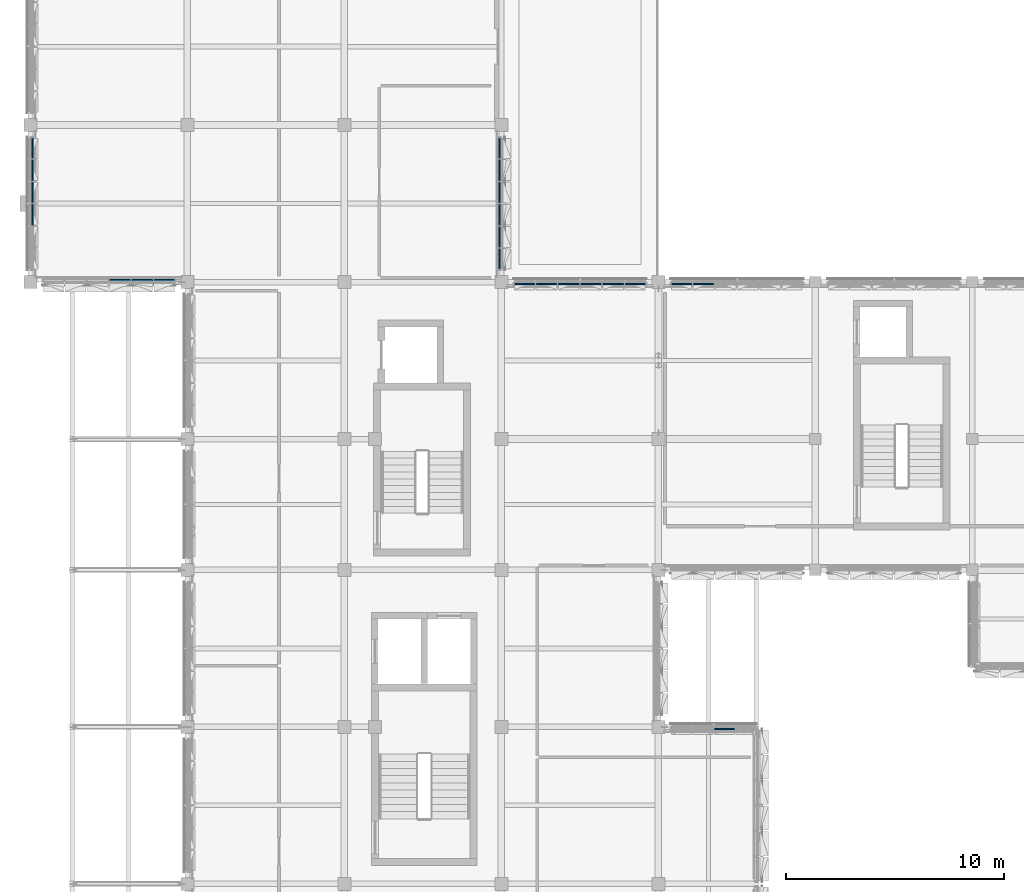
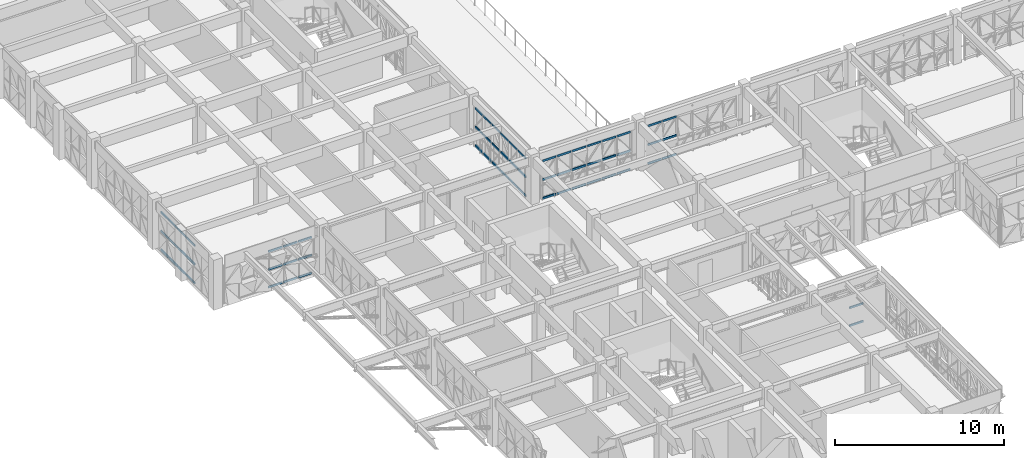
# One storey, part 23 of 99: 65 members, 6 elements without a shape of their own.
"""IFC4 building model written with IfcOpenShell, lengths in metres."""

from ifc_helpers import new_model, si_unit, direction, frame, origin, origin_2d, place, context, subcontext, project, spatial, rectangle, extrude, material, material_profile, profile_set, type_object, element, aggregate, save


model = new_model("IFC4")

# Units and contexts
model_context = context("Model", 3, precision=1e-05, world=origin(), true_north=direction((0.0, 1.0)))
body_context = subcontext(model_context, "Body", "Model", "MODEL_VIEW")
ifc_project = project(units=[si_unit("LENGTHUNIT", "METRE"), si_unit("AREAUNIT", "SQUARE_METRE"), si_unit("VOLUMEUNIT", "CUBIC_METRE"), si_unit("PLANEANGLEUNIT", "RADIAN"), si_unit("MASSUNIT", "GRAM", prefix="KILO")], contexts=[model_context])

# Site, building, storey
site_placement = place(None, origin())
site = spatial("IfcSite", under=ifc_project, at=site_placement, CompositionType="ELEMENT")
building_placement = place(site_placement, origin())
building = spatial("IfcBuilding", under=site, at=building_placement, Name="Alvorim Cloister Faculty of Sciences", CompositionType="ELEMENT")
storey_placement = place(building_placement, frame((0.0, 0.0, 12.14990234375)))
storey = spatial("IfcBuildingStorey", under=building, at=storey_placement, Name="L03", CompositionType="ELEMENT", Elevation=12.14990234375)

# Curtain wall, members
ifc_material_1 = material(Name="Aluminium and Low-E Glass Curtain Wall", Category="aluminium")
curtain_wall_type_1 = type_object("IfcCurtainWallType", Name="CW-TRI-6120x2706", PredefinedType="USERDEFINED", material=ifc_material_1)
curtain_wall_1_placement = place(storey_placement, origin())
curtain_wall_1 = element("IfcCurtainWall", 1, at=curtain_wall_1_placement, inside=storey, type_object=curtain_wall_type_1, Name="L03 Diagonal Cassette Curtain Wall CW-0105", ObjectType="UNITISED CURTAIN WALL", PredefinedType="USERDEFINED")
ifc_material_2 = material(Name="Aluminium Alloy 6063-T6", Category="aluminium")
ifc_material_profile = material_profile(ifc_material_2, rectangle(XDim=0.06494140625, YDim=0.139892578125, at=origin_2d()), Name="ALU-TRN-65x140")
ifc_profile_set = profile_set([ifc_material_profile], Name="Aluminium Alloy 6063-T6")
member_type = type_object("IfcMemberType", Name="CW-TRN-65x140", PredefinedType="USERDEFINED", material=ifc_profile_set)
member_1_placement = place(storey_placement, frame((3.632568359375, 56.489990234375, 0.070068359375), z_axis=(1.0, 0.0, 0.0), x_axis=(0.0, 1.0, 0.0)))
member_1 = element("IfcMember", 2, at=member_1_placement, type_object=member_type, Name="CW-0105 Transom 4.1", ObjectType="TRANSOM", PredefinedType="USERDEFINED", context=body_context, shape_type="SweptSolid", body=[
    extrude(rectangle(XDim=0.06494140625, YDim=0.139892578125, at=origin_2d()), origin(), (0.0, 0.0, 1.0), 0.954833984375),
])
member_2_placement = place(storey_placement, frame((3.632568359375, 56.489990234375, 1.35302734375), z_axis=(1.0, 0.0, 0.0), x_axis=(0.0, 1.0, 0.0)))
member_2 = element("IfcMember", 3, at=member_2_placement, type_object=member_type, Name="CW-0105 Transom 4.2", ObjectType="TRANSOM", PredefinedType="USERDEFINED", context=body_context, shape_type="SweptSolid", body=[
    extrude(rectangle(XDim=0.06494140625, YDim=0.139892578125, at=origin_2d()), origin(), (0.0, 0.0, 1.0), 0.954833984375),
])
member_3_placement = place(storey_placement, frame((3.632568359375, 56.489990234375, 2.635986328125), z_axis=(1.0, 0.0, 0.0), x_axis=(0.0, 1.0, 0.0)))
member_3 = element("IfcMember", 4, at=member_3_placement, type_object=member_type, Name="CW-0105 Transom 4.3", ObjectType="TRANSOM", PredefinedType="USERDEFINED", context=body_context, shape_type="SweptSolid", body=[
    extrude(rectangle(XDim=0.06494140625, YDim=0.139892578125, at=origin_2d()), origin(), (0.0, 0.0, 1.0), 0.954833984375),
])
member_4_placement = place(storey_placement, frame((4.652587890625, 56.489990234375, 0.070068359375), z_axis=(1.0, 0.0, 0.0), x_axis=(0.0, 1.0, 0.0)))
member_4 = element("IfcMember", 5, at=member_4_placement, type_object=member_type, Name="CW-0105 Transom 5.1", ObjectType="TRANSOM", PredefinedType="USERDEFINED", context=body_context, shape_type="SweptSolid", body=[
    extrude(rectangle(XDim=0.06494140625, YDim=0.139892578125, at=origin_2d()), origin(), (0.0, 0.0, 1.0), 0.954833984375),
])
member_5_placement = place(storey_placement, frame((4.652587890625, 56.489990234375, 1.35302734375), z_axis=(1.0, 0.0, 0.0), x_axis=(0.0, 1.0, 0.0)))
member_5 = element("IfcMember", 6, at=member_5_placement, type_object=member_type, Name="CW-0105 Transom 5.2", ObjectType="TRANSOM", PredefinedType="USERDEFINED", context=body_context, shape_type="SweptSolid", body=[
    extrude(rectangle(XDim=0.06494140625, YDim=0.139892578125, at=origin_2d()), origin(), (0.0, 0.0, 1.0), 0.954833984375),
])
member_6_placement = place(storey_placement, frame((4.652587890625, 56.489990234375, 2.635986328125), z_axis=(1.0, 0.0, 0.0), x_axis=(0.0, 1.0, 0.0)))
member_6 = element("IfcMember", 7, at=member_6_placement, type_object=member_type, Name="CW-0105 Transom 5.3", ObjectType="TRANSOM", PredefinedType="USERDEFINED", context=body_context, shape_type="SweptSolid", body=[
    extrude(rectangle(XDim=0.06494140625, YDim=0.139892578125, at=origin_2d()), origin(), (0.0, 0.0, 1.0), 0.954833984375),
])
member_7_placement = place(storey_placement, frame((5.672607421875, 56.489990234375, 0.070068359375), z_axis=(1.0, 0.0, 0.0), x_axis=(0.0, 1.0, 0.0)))
member_7 = element("IfcMember", 8, at=member_7_placement, type_object=member_type, Name="CW-0105 Transom 6.1", ObjectType="TRANSOM", PredefinedType="USERDEFINED", context=body_context, shape_type="SweptSolid", body=[
    extrude(rectangle(XDim=0.06494140625, YDim=0.139892578125, at=origin_2d()), origin(), (0.0, 0.0, 1.0), 0.92236328125),
])
member_8_placement = place(storey_placement, frame((5.672607421875, 56.489990234375, 1.35302734375), z_axis=(1.0, 0.0, 0.0), x_axis=(0.0, 1.0, 0.0)))
member_8 = element("IfcMember", 9, at=member_8_placement, type_object=member_type, Name="CW-0105 Transom 6.2", ObjectType="TRANSOM", PredefinedType="USERDEFINED", context=body_context, shape_type="SweptSolid", body=[
    extrude(rectangle(XDim=0.06494140625, YDim=0.139892578125, at=origin_2d()), origin(), (0.0, 0.0, 1.0), 0.92236328125),
])
member_9_placement = place(storey_placement, frame((5.672607421875, 56.489990234375, 2.635986328125), z_axis=(1.0, 0.0, 0.0), x_axis=(0.0, 1.0, 0.0)))
member_9 = element("IfcMember", 10, at=member_9_placement, type_object=member_type, Name="CW-0105 Transom 6.3", ObjectType="TRANSOM", PredefinedType="USERDEFINED", context=body_context, shape_type="SweptSolid", body=[
    extrude(rectangle(XDim=0.06494140625, YDim=0.139892578125, at=origin_2d()), origin(), (0.0, 0.0, 1.0), 0.92236328125),
])
aggregate(curtain_wall_1, [member_1, member_2, member_3, member_4, member_5, member_6, member_7, member_8, member_9])

curtain_wall_type_2 = type_object("IfcCurtainWallType", Name="CW-TRI-6120x2850", PredefinedType="USERDEFINED", material=ifc_material_1)
curtain_wall_2_placement = place(storey_placement, origin())
curtain_wall_2 = element("IfcCurtainWall", 11, at=curtain_wall_2_placement, inside=storey, type_object=curtain_wall_type_2, Name="L03 Diagonal Cassette Curtain Wall CW-0106", ObjectType="UNITISED CURTAIN WALL", PredefinedType="USERDEFINED")
member_10_placement = place(storey_placement, frame((0.090087890625, 59.012451171875, 0.070068359375), z_axis=(0.0, 1.0, 0.0), x_axis=(-1.0, 0.0, 0.0)))
member_10 = element("IfcMember", 12, at=member_10_placement, type_object=member_type, Name="CW-0106 Transom 3.1", ObjectType="TRANSOM", PredefinedType="USERDEFINED", context=body_context, shape_type="SweptSolid", body=[
    extrude(rectangle(XDim=0.06494140625, YDim=0.139892578125, at=origin_2d()), origin(), (0.0, 0.0, 1.0), 0.955078125),
])
member_11_placement = place(storey_placement, frame((0.090087890625, 59.012451171875, 1.425048828125), z_axis=(0.0, 1.0, 0.0), x_axis=(-1.0, 0.0, 0.0)))
member_11 = element("IfcMember", 13, at=member_11_placement, type_object=member_type, Name="CW-0106 Transom 3.2", ObjectType="TRANSOM", PredefinedType="USERDEFINED", context=body_context, shape_type="SweptSolid", body=[
    extrude(rectangle(XDim=0.06494140625, YDim=0.139892578125, at=origin_2d()), origin(), (0.0, 0.0, 1.0), 0.955078125),
])
member_12_placement = place(storey_placement, frame((0.090087890625, 59.012451171875, 2.780029296875), z_axis=(0.0, 1.0, 0.0), x_axis=(-1.0, 0.0, 0.0)))
member_12 = element("IfcMember", 14, at=member_12_placement, type_object=member_type, Name="CW-0106 Transom 3.3", ObjectType="TRANSOM", PredefinedType="USERDEFINED", context=body_context, shape_type="SweptSolid", body=[
    extrude(rectangle(XDim=0.06494140625, YDim=0.139892578125, at=origin_2d()), origin(), (0.0, 0.0, 1.0), 0.955078125),
])
member_13_placement = place(storey_placement, frame((0.090087890625, 60.032470703125, 0.070068359375), z_axis=(0.0, 1.0, 0.0), x_axis=(-1.0, 0.0, 0.0)))
member_13 = element("IfcMember", 15, at=member_13_placement, type_object=member_type, Name="CW-0106 Transom 4.1", ObjectType="TRANSOM", PredefinedType="USERDEFINED", context=body_context, shape_type="SweptSolid", body=[
    extrude(rectangle(XDim=0.06494140625, YDim=0.139892578125, at=origin_2d()), origin(), (0.0, 0.0, 1.0), 0.955078125),
])
member_14_placement = place(storey_placement, frame((0.090087890625, 60.032470703125, 1.425048828125), z_axis=(0.0, 1.0, 0.0), x_axis=(-1.0, 0.0, 0.0)))
member_14 = element("IfcMember", 16, at=member_14_placement, type_object=member_type, Name="CW-0106 Transom 4.2", ObjectType="TRANSOM", PredefinedType="USERDEFINED", context=body_context, shape_type="SweptSolid", body=[
    extrude(rectangle(XDim=0.06494140625, YDim=0.139892578125, at=origin_2d()), origin(), (0.0, 0.0, 1.0), 0.955078125),
])
member_15_placement = place(storey_placement, frame((0.090087890625, 60.032470703125, 2.780029296875), z_axis=(0.0, 1.0, 0.0), x_axis=(-1.0, 0.0, 0.0)))
member_15 = element("IfcMember", 17, at=member_15_placement, type_object=member_type, Name="CW-0106 Transom 4.3", ObjectType="TRANSOM", PredefinedType="USERDEFINED", context=body_context, shape_type="SweptSolid", body=[
    extrude(rectangle(XDim=0.06494140625, YDim=0.139892578125, at=origin_2d()), origin(), (0.0, 0.0, 1.0), 0.955078125),
])
member_16_placement = place(storey_placement, frame((0.090087890625, 61.052490234375, 0.070068359375), z_axis=(0.0, 1.0, 0.0), x_axis=(-1.0, 0.0, 0.0)))
member_16 = element("IfcMember", 18, at=member_16_placement, type_object=member_type, Name="CW-0106 Transom 5.1", ObjectType="TRANSOM", PredefinedType="USERDEFINED", context=body_context, shape_type="SweptSolid", body=[
    extrude(rectangle(XDim=0.06494140625, YDim=0.139892578125, at=origin_2d()), origin(), (0.0, 0.0, 1.0), 0.955078125),
])
member_17_placement = place(storey_placement, frame((0.090087890625, 61.052490234375, 1.425048828125), z_axis=(0.0, 1.0, 0.0), x_axis=(-1.0, 0.0, 0.0)))
member_17 = element("IfcMember", 19, at=member_17_placement, type_object=member_type, Name="CW-0106 Transom 5.2", ObjectType="TRANSOM", PredefinedType="USERDEFINED", context=body_context, shape_type="SweptSolid", body=[
    extrude(rectangle(XDim=0.06494140625, YDim=0.139892578125, at=origin_2d()), origin(), (0.0, 0.0, 1.0), 0.955078125),
])
member_18_placement = place(storey_placement, frame((0.090087890625, 61.052490234375, 2.780029296875), z_axis=(0.0, 1.0, 0.0), x_axis=(-1.0, 0.0, 0.0)))
member_18 = element("IfcMember", 20, at=member_18_placement, type_object=member_type, Name="CW-0106 Transom 5.3", ObjectType="TRANSOM", PredefinedType="USERDEFINED", context=body_context, shape_type="SweptSolid", body=[
    extrude(rectangle(XDim=0.06494140625, YDim=0.139892578125, at=origin_2d()), origin(), (0.0, 0.0, 1.0), 0.955078125),
])
member_19_placement = place(storey_placement, frame((0.090087890625, 62.072509765625, 0.070068359375), z_axis=(0.0, 1.0, 0.0), x_axis=(-1.0, 0.0, 0.0)))
member_19 = element("IfcMember", 21, at=member_19_placement, type_object=member_type, Name="CW-0106 Transom 6.1", ObjectType="TRANSOM", PredefinedType="USERDEFINED", context=body_context, shape_type="SweptSolid", body=[
    extrude(rectangle(XDim=0.06494140625, YDim=0.139892578125, at=origin_2d()), origin(), (0.0, 0.0, 1.0), 0.922607421875),
])
member_20_placement = place(storey_placement, frame((0.090087890625, 62.072509765625, 1.425048828125), z_axis=(0.0, 1.0, 0.0), x_axis=(-1.0, 0.0, 0.0)))
member_20 = element("IfcMember", 22, at=member_20_placement, type_object=member_type, Name="CW-0106 Transom 6.2", ObjectType="TRANSOM", PredefinedType="USERDEFINED", context=body_context, shape_type="SweptSolid", body=[
    extrude(rectangle(XDim=0.06494140625, YDim=0.139892578125, at=origin_2d()), origin(), (0.0, 0.0, 1.0), 0.922607421875),
])
member_21_placement = place(storey_placement, frame((0.090087890625, 62.072509765625, 2.780029296875), z_axis=(0.0, 1.0, 0.0), x_axis=(-1.0, 0.0, 0.0)))
member_21 = element("IfcMember", 23, at=member_21_placement, type_object=member_type, Name="CW-0106 Transom 6.3", ObjectType="TRANSOM", PredefinedType="USERDEFINED", context=body_context, shape_type="SweptSolid", body=[
    extrude(rectangle(XDim=0.06494140625, YDim=0.139892578125, at=origin_2d()), origin(), (0.0, 0.0, 1.0), 0.922607421875),
])
aggregate(curtain_wall_2, [member_10, member_11, member_12, member_13, member_14, member_15, member_16, member_17, member_18, member_19, member_20, member_21])

curtain_wall_3_placement = place(storey_placement, origin())
curtain_wall_3 = element("IfcCurtainWall", 24, at=curtain_wall_3_placement, inside=storey, type_object=curtain_wall_type_2, Name="L03 Diagonal Cassette Curtain Wall CW-0123", ObjectType="UNITISED CURTAIN WALL", PredefinedType="USERDEFINED")
member_22_placement = place(storey_placement, frame((21.510009765625, 57.0048828125, 0.070068359375), z_axis=(0.0, 1.0, 0.0), x_axis=(-1.0, 0.0, 0.0)))
member_22 = element("IfcMember", 25, at=member_22_placement, type_object=member_type, Name="CW-0123 Transom 1.1", ObjectType="TRANSOM", PredefinedType="USERDEFINED", context=body_context, shape_type="SweptSolid", body=[
    extrude(rectangle(XDim=0.06494140625, YDim=0.139892578125, at=origin_2d()), origin(), (0.0, 0.0, 1.0), 0.922607421875),
])
member_23_placement = place(storey_placement, frame((21.510009765625, 57.0048828125, 1.425048828125), z_axis=(0.0, 1.0, 0.0), x_axis=(-1.0, 0.0, 0.0)))
member_23 = element("IfcMember", 26, at=member_23_placement, type_object=member_type, Name="CW-0123 Transom 1.2", ObjectType="TRANSOM", PredefinedType="USERDEFINED", context=body_context, shape_type="SweptSolid", body=[
    extrude(rectangle(XDim=0.06494140625, YDim=0.139892578125, at=origin_2d()), origin(), (0.0, 0.0, 1.0), 0.922607421875),
])
member_24_placement = place(storey_placement, frame((21.510009765625, 57.0048828125, 2.780029296875), z_axis=(0.0, 1.0, 0.0), x_axis=(-1.0, 0.0, 0.0)))
member_24 = element("IfcMember", 27, at=member_24_placement, type_object=member_type, Name="CW-0123 Transom 1.3", ObjectType="TRANSOM", PredefinedType="USERDEFINED", context=body_context, shape_type="SweptSolid", body=[
    extrude(rectangle(XDim=0.06494140625, YDim=0.139892578125, at=origin_2d()), origin(), (0.0, 0.0, 1.0), 0.922607421875),
])
member_25_placement = place(storey_placement, frame((21.510009765625, 57.992431640625, 0.070068359375), z_axis=(0.0, 1.0, 0.0), x_axis=(-1.0, 0.0, 0.0)))
member_25 = element("IfcMember", 28, at=member_25_placement, type_object=member_type, Name="CW-0123 Transom 2.1", ObjectType="TRANSOM", PredefinedType="USERDEFINED", context=body_context, shape_type="SweptSolid", body=[
    extrude(rectangle(XDim=0.06494140625, YDim=0.139892578125, at=origin_2d()), origin(), (0.0, 0.0, 1.0), 0.955078125),
])
member_26_placement = place(storey_placement, frame((21.510009765625, 57.992431640625, 1.425048828125), z_axis=(0.0, 1.0, 0.0), x_axis=(-1.0, 0.0, 0.0)))
member_26 = element("IfcMember", 29, at=member_26_placement, type_object=member_type, Name="CW-0123 Transom 2.2", ObjectType="TRANSOM", PredefinedType="USERDEFINED", context=body_context, shape_type="SweptSolid", body=[
    extrude(rectangle(XDim=0.06494140625, YDim=0.139892578125, at=origin_2d()), origin(), (0.0, 0.0, 1.0), 0.955078125),
])
member_27_placement = place(storey_placement, frame((21.510009765625, 57.992431640625, 2.780029296875), z_axis=(0.0, 1.0, 0.0), x_axis=(-1.0, 0.0, 0.0)))
member_27 = element("IfcMember", 30, at=member_27_placement, type_object=member_type, Name="CW-0123 Transom 2.3", ObjectType="TRANSOM", PredefinedType="USERDEFINED", context=body_context, shape_type="SweptSolid", body=[
    extrude(rectangle(XDim=0.06494140625, YDim=0.139892578125, at=origin_2d()), origin(), (0.0, 0.0, 1.0), 0.955078125),
])
member_28_placement = place(storey_placement, frame((21.510009765625, 59.012451171875, 0.070068359375), z_axis=(0.0, 1.0, 0.0), x_axis=(-1.0, 0.0, 0.0)))
member_28 = element("IfcMember", 31, at=member_28_placement, type_object=member_type, Name="CW-0123 Transom 3.1", ObjectType="TRANSOM", PredefinedType="USERDEFINED", context=body_context, shape_type="SweptSolid", body=[
    extrude(rectangle(XDim=0.06494140625, YDim=0.139892578125, at=origin_2d()), origin(), (0.0, 0.0, 1.0), 0.955078125),
])
member_29_placement = place(storey_placement, frame((21.510009765625, 59.012451171875, 1.425048828125), z_axis=(0.0, 1.0, 0.0), x_axis=(-1.0, 0.0, 0.0)))
member_29 = element("IfcMember", 32, at=member_29_placement, type_object=member_type, Name="CW-0123 Transom 3.2", ObjectType="TRANSOM", PredefinedType="USERDEFINED", context=body_context, shape_type="SweptSolid", body=[
    extrude(rectangle(XDim=0.06494140625, YDim=0.139892578125, at=origin_2d()), origin(), (0.0, 0.0, 1.0), 0.955078125),
])
member_30_placement = place(storey_placement, frame((21.510009765625, 59.012451171875, 2.780029296875), z_axis=(0.0, 1.0, 0.0), x_axis=(-1.0, 0.0, 0.0)))
member_30 = element("IfcMember", 33, at=member_30_placement, type_object=member_type, Name="CW-0123 Transom 3.3", ObjectType="TRANSOM", PredefinedType="USERDEFINED", context=body_context, shape_type="SweptSolid", body=[
    extrude(rectangle(XDim=0.06494140625, YDim=0.139892578125, at=origin_2d()), origin(), (0.0, 0.0, 1.0), 0.955078125),
])
member_31_placement = place(storey_placement, frame((21.510009765625, 60.032470703125, 0.070068359375), z_axis=(0.0, 1.0, 0.0), x_axis=(-1.0, 0.0, 0.0)))
member_31 = element("IfcMember", 34, at=member_31_placement, type_object=member_type, Name="CW-0123 Transom 4.1", ObjectType="TRANSOM", PredefinedType="USERDEFINED", context=body_context, shape_type="SweptSolid", body=[
    extrude(rectangle(XDim=0.06494140625, YDim=0.139892578125, at=origin_2d()), origin(), (0.0, 0.0, 1.0), 0.955078125),
])
member_32_placement = place(storey_placement, frame((21.510009765625, 60.032470703125, 1.425048828125), z_axis=(0.0, 1.0, 0.0), x_axis=(-1.0, 0.0, 0.0)))
member_32 = element("IfcMember", 35, at=member_32_placement, type_object=member_type, Name="CW-0123 Transom 4.2", ObjectType="TRANSOM", PredefinedType="USERDEFINED", context=body_context, shape_type="SweptSolid", body=[
    extrude(rectangle(XDim=0.06494140625, YDim=0.139892578125, at=origin_2d()), origin(), (0.0, 0.0, 1.0), 0.955078125),
])
member_33_placement = place(storey_placement, frame((21.510009765625, 60.032470703125, 2.780029296875), z_axis=(0.0, 1.0, 0.0), x_axis=(-1.0, 0.0, 0.0)))
member_33 = element("IfcMember", 36, at=member_33_placement, type_object=member_type, Name="CW-0123 Transom 4.3", ObjectType="TRANSOM", PredefinedType="USERDEFINED", context=body_context, shape_type="SweptSolid", body=[
    extrude(rectangle(XDim=0.06494140625, YDim=0.139892578125, at=origin_2d()), origin(), (0.0, 0.0, 1.0), 0.955078125),
])
member_34_placement = place(storey_placement, frame((21.510009765625, 61.052490234375, 0.070068359375), z_axis=(0.0, 1.0, 0.0), x_axis=(-1.0, 0.0, 0.0)))
member_34 = element("IfcMember", 37, at=member_34_placement, type_object=member_type, Name="CW-0123 Transom 5.1", ObjectType="TRANSOM", PredefinedType="USERDEFINED", context=body_context, shape_type="SweptSolid", body=[
    extrude(rectangle(XDim=0.06494140625, YDim=0.139892578125, at=origin_2d()), origin(), (0.0, 0.0, 1.0), 0.955078125),
])
member_35_placement = place(storey_placement, frame((21.510009765625, 61.052490234375, 1.425048828125), z_axis=(0.0, 1.0, 0.0), x_axis=(-1.0, 0.0, 0.0)))
member_35 = element("IfcMember", 38, at=member_35_placement, type_object=member_type, Name="CW-0123 Transom 5.2", ObjectType="TRANSOM", PredefinedType="USERDEFINED", context=body_context, shape_type="SweptSolid", body=[
    extrude(rectangle(XDim=0.06494140625, YDim=0.139892578125, at=origin_2d()), origin(), (0.0, 0.0, 1.0), 0.955078125),
])
member_36_placement = place(storey_placement, frame((21.510009765625, 61.052490234375, 2.780029296875), z_axis=(0.0, 1.0, 0.0), x_axis=(-1.0, 0.0, 0.0)))
member_36 = element("IfcMember", 39, at=member_36_placement, type_object=member_type, Name="CW-0123 Transom 5.3", ObjectType="TRANSOM", PredefinedType="USERDEFINED", context=body_context, shape_type="SweptSolid", body=[
    extrude(rectangle(XDim=0.06494140625, YDim=0.139892578125, at=origin_2d()), origin(), (0.0, 0.0, 1.0), 0.955078125),
])
member_37_placement = place(storey_placement, frame((21.510009765625, 62.072509765625, 0.070068359375), z_axis=(0.0, 1.0, 0.0), x_axis=(-1.0, 0.0, 0.0)))
member_37 = element("IfcMember", 40, at=member_37_placement, type_object=member_type, Name="CW-0123 Transom 6.1", ObjectType="TRANSOM", PredefinedType="USERDEFINED", context=body_context, shape_type="SweptSolid", body=[
    extrude(rectangle(XDim=0.06494140625, YDim=0.139892578125, at=origin_2d()), origin(), (0.0, 0.0, 1.0), 0.922607421875),
])
member_38_placement = place(storey_placement, frame((21.510009765625, 62.072509765625, 1.425048828125), z_axis=(0.0, 1.0, 0.0), x_axis=(-1.0, 0.0, 0.0)))
member_38 = element("IfcMember", 41, at=member_38_placement, type_object=member_type, Name="CW-0123 Transom 6.2", ObjectType="TRANSOM", PredefinedType="USERDEFINED", context=body_context, shape_type="SweptSolid", body=[
    extrude(rectangle(XDim=0.06494140625, YDim=0.139892578125, at=origin_2d()), origin(), (0.0, 0.0, 1.0), 0.922607421875),
])
member_39_placement = place(storey_placement, frame((21.510009765625, 62.072509765625, 2.780029296875), z_axis=(0.0, 1.0, 0.0), x_axis=(-1.0, 0.0, 0.0)))
member_39 = element("IfcMember", 42, at=member_39_placement, type_object=member_type, Name="CW-0123 Transom 6.3", ObjectType="TRANSOM", PredefinedType="USERDEFINED", context=body_context, shape_type="SweptSolid", body=[
    extrude(rectangle(XDim=0.06494140625, YDim=0.139892578125, at=origin_2d()), origin(), (0.0, 0.0, 1.0), 0.922607421875),
])
aggregate(curtain_wall_3, [member_22, member_23, member_24, member_25, member_26, member_27, member_28, member_29, member_30, member_31, member_32, member_33, member_34, member_35, member_36, member_37, member_38, member_39])

curtain_wall_4_placement = place(storey_placement, origin())
curtain_wall_4 = element("IfcCurtainWall", 43, at=curtain_wall_4_placement, inside=storey, type_object=curtain_wall_type_2, Name="L03 Diagonal Cassette Curtain Wall CW-0124", ObjectType="UNITISED CURTAIN WALL", PredefinedType="USERDEFINED")
member_40_placement = place(storey_placement, frame((22.205078125, 56.31005859375, 0.070068359375), z_axis=(1.0, 0.0, 0.0), x_axis=(0.0, 1.0, 0.0)))
member_40 = element("IfcMember", 44, at=member_40_placement, type_object=member_type, Name="CW-0124 Transom 1.1", ObjectType="TRANSOM", PredefinedType="USERDEFINED", context=body_context, shape_type="SweptSolid", body=[
    extrude(rectangle(XDim=0.06494140625, YDim=0.139892578125, at=origin_2d()), origin(), (0.0, 0.0, 1.0), 0.92236328125),
])
member_41_placement = place(storey_placement, frame((22.205078125, 56.31005859375, 1.425048828125), z_axis=(1.0, 0.0, 0.0), x_axis=(0.0, 1.0, 0.0)))
member_41 = element("IfcMember", 45, at=member_41_placement, type_object=member_type, Name="CW-0124 Transom 1.2", ObjectType="TRANSOM", PredefinedType="USERDEFINED", context=body_context, shape_type="SweptSolid", body=[
    extrude(rectangle(XDim=0.06494140625, YDim=0.139892578125, at=origin_2d()), origin(), (0.0, 0.0, 1.0), 0.92236328125),
])
member_42_placement = place(storey_placement, frame((22.205078125, 56.31005859375, 2.780029296875), z_axis=(1.0, 0.0, 0.0), x_axis=(0.0, 1.0, 0.0)))
member_42 = element("IfcMember", 46, at=member_42_placement, type_object=member_type, Name="CW-0124 Transom 1.3", ObjectType="TRANSOM", PredefinedType="USERDEFINED", context=body_context, shape_type="SweptSolid", body=[
    extrude(rectangle(XDim=0.06494140625, YDim=0.139892578125, at=origin_2d()), origin(), (0.0, 0.0, 1.0), 0.92236328125),
])
member_43_placement = place(storey_placement, frame((23.1923828125, 56.31005859375, 0.070068359375), z_axis=(1.0, 0.0, 0.0), x_axis=(0.0, 1.0, 0.0)))
member_43 = element("IfcMember", 47, at=member_43_placement, type_object=member_type, Name="CW-0124 Transom 2.1", ObjectType="TRANSOM", PredefinedType="USERDEFINED", context=body_context, shape_type="SweptSolid", body=[
    extrude(rectangle(XDim=0.06494140625, YDim=0.139892578125, at=origin_2d()), origin(), (0.0, 0.0, 1.0), 0.955078125),
])
member_44_placement = place(storey_placement, frame((23.1923828125, 56.31005859375, 1.425048828125), z_axis=(1.0, 0.0, 0.0), x_axis=(0.0, 1.0, 0.0)))
member_44 = element("IfcMember", 48, at=member_44_placement, type_object=member_type, Name="CW-0124 Transom 2.2", ObjectType="TRANSOM", PredefinedType="USERDEFINED", context=body_context, shape_type="SweptSolid", body=[
    extrude(rectangle(XDim=0.06494140625, YDim=0.139892578125, at=origin_2d()), origin(), (0.0, 0.0, 1.0), 0.955078125),
])
member_45_placement = place(storey_placement, frame((23.1923828125, 56.31005859375, 2.780029296875), z_axis=(1.0, 0.0, 0.0), x_axis=(0.0, 1.0, 0.0)))
member_45 = element("IfcMember", 49, at=member_45_placement, type_object=member_type, Name="CW-0124 Transom 2.3", ObjectType="TRANSOM", PredefinedType="USERDEFINED", context=body_context, shape_type="SweptSolid", body=[
    extrude(rectangle(XDim=0.06494140625, YDim=0.139892578125, at=origin_2d()), origin(), (0.0, 0.0, 1.0), 0.955078125),
])
member_46_placement = place(storey_placement, frame((24.21240234375, 56.31005859375, 0.070068359375), z_axis=(1.0, 0.0, 0.0), x_axis=(0.0, 1.0, 0.0)))
member_46 = element("IfcMember", 50, at=member_46_placement, type_object=member_type, Name="CW-0124 Transom 3.1", ObjectType="TRANSOM", PredefinedType="USERDEFINED", context=body_context, shape_type="SweptSolid", body=[
    extrude(rectangle(XDim=0.06494140625, YDim=0.139892578125, at=origin_2d()), origin(), (0.0, 0.0, 1.0), 0.955078125),
])
member_47_placement = place(storey_placement, frame((24.21240234375, 56.31005859375, 1.425048828125), z_axis=(1.0, 0.0, 0.0), x_axis=(0.0, 1.0, 0.0)))
member_47 = element("IfcMember", 51, at=member_47_placement, type_object=member_type, Name="CW-0124 Transom 3.2", ObjectType="TRANSOM", PredefinedType="USERDEFINED", context=body_context, shape_type="SweptSolid", body=[
    extrude(rectangle(XDim=0.06494140625, YDim=0.139892578125, at=origin_2d()), origin(), (0.0, 0.0, 1.0), 0.955078125),
])
member_48_placement = place(storey_placement, frame((24.21240234375, 56.31005859375, 2.780029296875), z_axis=(1.0, 0.0, 0.0), x_axis=(0.0, 1.0, 0.0)))
member_48 = element("IfcMember", 52, at=member_48_placement, type_object=member_type, Name="CW-0124 Transom 3.3", ObjectType="TRANSOM", PredefinedType="USERDEFINED", context=body_context, shape_type="SweptSolid", body=[
    extrude(rectangle(XDim=0.06494140625, YDim=0.139892578125, at=origin_2d()), origin(), (0.0, 0.0, 1.0), 0.955078125),
])
member_49_placement = place(storey_placement, frame((25.232421875, 56.31005859375, 0.070068359375), z_axis=(1.0, 0.0, 0.0), x_axis=(0.0, 1.0, 0.0)))
member_49 = element("IfcMember", 53, at=member_49_placement, type_object=member_type, Name="CW-0124 Transom 4.1", ObjectType="TRANSOM", PredefinedType="USERDEFINED", context=body_context, shape_type="SweptSolid", body=[
    extrude(rectangle(XDim=0.06494140625, YDim=0.139892578125, at=origin_2d()), origin(), (0.0, 0.0, 1.0), 0.955078125),
])
member_50_placement = place(storey_placement, frame((25.232421875, 56.31005859375, 1.425048828125), z_axis=(1.0, 0.0, 0.0), x_axis=(0.0, 1.0, 0.0)))
member_50 = element("IfcMember", 54, at=member_50_placement, type_object=member_type, Name="CW-0124 Transom 4.2", ObjectType="TRANSOM", PredefinedType="USERDEFINED", context=body_context, shape_type="SweptSolid", body=[
    extrude(rectangle(XDim=0.06494140625, YDim=0.139892578125, at=origin_2d()), origin(), (0.0, 0.0, 1.0), 0.955078125),
])
member_51_placement = place(storey_placement, frame((25.232421875, 56.31005859375, 2.780029296875), z_axis=(1.0, 0.0, 0.0), x_axis=(0.0, 1.0, 0.0)))
member_51 = element("IfcMember", 55, at=member_51_placement, type_object=member_type, Name="CW-0124 Transom 4.3", ObjectType="TRANSOM", PredefinedType="USERDEFINED", context=body_context, shape_type="SweptSolid", body=[
    extrude(rectangle(XDim=0.06494140625, YDim=0.139892578125, at=origin_2d()), origin(), (0.0, 0.0, 1.0), 0.955078125),
])
member_52_placement = place(storey_placement, frame((26.25244140625, 56.31005859375, 0.070068359375), z_axis=(1.0, 0.0, 0.0), x_axis=(0.0, 1.0, 0.0)))
member_52 = element("IfcMember", 56, at=member_52_placement, type_object=member_type, Name="CW-0124 Transom 5.1", ObjectType="TRANSOM", PredefinedType="USERDEFINED", context=body_context, shape_type="SweptSolid", body=[
    extrude(rectangle(XDim=0.06494140625, YDim=0.139892578125, at=origin_2d()), origin(), (0.0, 0.0, 1.0), 0.955078125),
])
member_53_placement = place(storey_placement, frame((26.25244140625, 56.31005859375, 1.425048828125), z_axis=(1.0, 0.0, 0.0), x_axis=(0.0, 1.0, 0.0)))
member_53 = element("IfcMember", 57, at=member_53_placement, type_object=member_type, Name="CW-0124 Transom 5.2", ObjectType="TRANSOM", PredefinedType="USERDEFINED", context=body_context, shape_type="SweptSolid", body=[
    extrude(rectangle(XDim=0.06494140625, YDim=0.139892578125, at=origin_2d()), origin(), (0.0, 0.0, 1.0), 0.955078125),
])
member_54_placement = place(storey_placement, frame((26.25244140625, 56.31005859375, 2.780029296875), z_axis=(1.0, 0.0, 0.0), x_axis=(0.0, 1.0, 0.0)))
member_54 = element("IfcMember", 58, at=member_54_placement, type_object=member_type, Name="CW-0124 Transom 5.3", ObjectType="TRANSOM", PredefinedType="USERDEFINED", context=body_context, shape_type="SweptSolid", body=[
    extrude(rectangle(XDim=0.06494140625, YDim=0.139892578125, at=origin_2d()), origin(), (0.0, 0.0, 1.0), 0.955078125),
])
member_55_placement = place(storey_placement, frame((27.2724609375, 56.31005859375, 0.070068359375), z_axis=(1.0, 0.0, 0.0), x_axis=(0.0, 1.0, 0.0)))
member_55 = element("IfcMember", 59, at=member_55_placement, type_object=member_type, Name="CW-0124 Transom 6.1", ObjectType="TRANSOM", PredefinedType="USERDEFINED", context=body_context, shape_type="SweptSolid", body=[
    extrude(rectangle(XDim=0.06494140625, YDim=0.139892578125, at=origin_2d()), origin(), (0.0, 0.0, 1.0), 0.922607421875),
])
member_56_placement = place(storey_placement, frame((27.2724609375, 56.31005859375, 1.425048828125), z_axis=(1.0, 0.0, 0.0), x_axis=(0.0, 1.0, 0.0)))
member_56 = element("IfcMember", 60, at=member_56_placement, type_object=member_type, Name="CW-0124 Transom 6.2", ObjectType="TRANSOM", PredefinedType="USERDEFINED", context=body_context, shape_type="SweptSolid", body=[
    extrude(rectangle(XDim=0.06494140625, YDim=0.139892578125, at=origin_2d()), origin(), (0.0, 0.0, 1.0), 0.922607421875),
])
member_57_placement = place(storey_placement, frame((27.2724609375, 56.31005859375, 2.780029296875), z_axis=(1.0, 0.0, 0.0), x_axis=(0.0, 1.0, 0.0)))
member_57 = element("IfcMember", 61, at=member_57_placement, type_object=member_type, Name="CW-0124 Transom 6.3", ObjectType="TRANSOM", PredefinedType="USERDEFINED", context=body_context, shape_type="SweptSolid", body=[
    extrude(rectangle(XDim=0.06494140625, YDim=0.139892578125, at=origin_2d()), origin(), (0.0, 0.0, 1.0), 0.922607421875),
])
aggregate(curtain_wall_4, [member_40, member_41, member_42, member_43, member_44, member_45, member_46, member_47, member_48, member_49, member_50, member_51, member_52, member_53, member_54, member_55, member_56, member_57])

curtain_wall_5_placement = place(storey_placement, origin())
curtain_wall_5 = element("IfcCurtainWall", 62, at=curtain_wall_5_placement, inside=storey, type_object=curtain_wall_type_2, Name="L03 Diagonal Cassette Curtain Wall CW-0125", ObjectType="UNITISED CURTAIN WALL", PredefinedType="USERDEFINED")
member_58_placement = place(storey_placement, frame((29.405029296875, 56.31005859375, 0.070068359375), z_axis=(1.0, 0.0, 0.0), x_axis=(0.0, 1.0, 0.0)))
member_58 = element("IfcMember", 63, at=member_58_placement, type_object=member_type, Name="CW-0125 Transom 1.1", ObjectType="TRANSOM", PredefinedType="USERDEFINED", context=body_context, shape_type="SweptSolid", body=[
    extrude(rectangle(XDim=0.06494140625, YDim=0.139892578125, at=origin_2d()), origin(), (0.0, 0.0, 1.0), 0.92236328125),
])
member_59_placement = place(storey_placement, frame((29.405029296875, 56.31005859375, 1.425048828125), z_axis=(1.0, 0.0, 0.0), x_axis=(0.0, 1.0, 0.0)))
member_59 = element("IfcMember", 64, at=member_59_placement, type_object=member_type, Name="CW-0125 Transom 1.2", ObjectType="TRANSOM", PredefinedType="USERDEFINED", context=body_context, shape_type="SweptSolid", body=[
    extrude(rectangle(XDim=0.06494140625, YDim=0.139892578125, at=origin_2d()), origin(), (0.0, 0.0, 1.0), 0.92236328125),
])
member_60_placement = place(storey_placement, frame((29.405029296875, 56.31005859375, 2.780029296875), z_axis=(1.0, 0.0, 0.0), x_axis=(0.0, 1.0, 0.0)))
member_60 = element("IfcMember", 65, at=member_60_placement, type_object=member_type, Name="CW-0125 Transom 1.3", ObjectType="TRANSOM", PredefinedType="USERDEFINED", context=body_context, shape_type="SweptSolid", body=[
    extrude(rectangle(XDim=0.06494140625, YDim=0.139892578125, at=origin_2d()), origin(), (0.0, 0.0, 1.0), 0.92236328125),
])
member_61_placement = place(storey_placement, frame((30.392578125, 56.31005859375, 0.070068359375), z_axis=(1.0, 0.0, 0.0), x_axis=(0.0, 1.0, 0.0)))
member_61 = element("IfcMember", 66, at=member_61_placement, type_object=member_type, Name="CW-0125 Transom 2.1", ObjectType="TRANSOM", PredefinedType="USERDEFINED", context=body_context, shape_type="SweptSolid", body=[
    extrude(rectangle(XDim=0.06494140625, YDim=0.139892578125, at=origin_2d()), origin(), (0.0, 0.0, 1.0), 0.954833984375),
])
member_62_placement = place(storey_placement, frame((30.392578125, 56.31005859375, 1.425048828125), z_axis=(1.0, 0.0, 0.0), x_axis=(0.0, 1.0, 0.0)))
member_62 = element("IfcMember", 67, at=member_62_placement, type_object=member_type, Name="CW-0125 Transom 2.2", ObjectType="TRANSOM", PredefinedType="USERDEFINED", context=body_context, shape_type="SweptSolid", body=[
    extrude(rectangle(XDim=0.06494140625, YDim=0.139892578125, at=origin_2d()), origin(), (0.0, 0.0, 1.0), 0.954833984375),
])
member_63_placement = place(storey_placement, frame((30.392578125, 56.31005859375, 2.780029296875), z_axis=(1.0, 0.0, 0.0), x_axis=(0.0, 1.0, 0.0)))
member_63 = element("IfcMember", 68, at=member_63_placement, type_object=member_type, Name="CW-0125 Transom 2.3", ObjectType="TRANSOM", PredefinedType="USERDEFINED", context=body_context, shape_type="SweptSolid", body=[
    extrude(rectangle(XDim=0.06494140625, YDim=0.139892578125, at=origin_2d()), origin(), (0.0, 0.0, 1.0), 0.954833984375),
])
aggregate(curtain_wall_5, [member_58, member_59, member_60, member_61, member_62, member_63])

curtain_wall_type_3 = type_object("IfcCurtainWallType", Name="CW-TRI-3980x2706", PredefinedType="USERDEFINED", material=ifc_material_1)
curtain_wall_6_placement = place(storey_placement, origin())
curtain_wall_6 = element("IfcCurtainWall", 69, at=curtain_wall_6_placement, inside=storey, type_object=curtain_wall_type_3, Name="L03 Diagonal Cassette Curtain Wall CW-0140", ObjectType="UNITISED CURTAIN WALL", PredefinedType="USERDEFINED")
member_64_placement = place(storey_placement, frame((31.362548828125, 35.909912109375, 0.070068359375), z_axis=(1.0, 0.0, 0.0), x_axis=(0.0, 1.0, 0.0)))
member_64 = element("IfcMember", 70, at=member_64_placement, type_object=member_type, Name="CW-0140 Transom 3.1", ObjectType="TRANSOM", PredefinedType="USERDEFINED", context=body_context, shape_type="SweptSolid", body=[
    extrude(rectangle(XDim=0.06494140625, YDim=0.139892578125, at=origin_2d()), origin(), (0.0, 0.0, 1.0), 0.929931640625),
])
member_65_placement = place(storey_placement, frame((31.362548828125, 35.909912109375, 1.35302734375), z_axis=(1.0, 0.0, 0.0), x_axis=(0.0, 1.0, 0.0)))
member_65 = element("IfcMember", 71, at=member_65_placement, type_object=member_type, Name="CW-0140 Transom 3.2", ObjectType="TRANSOM", PredefinedType="USERDEFINED", context=body_context, shape_type="SweptSolid", body=[
    extrude(rectangle(XDim=0.06494140625, YDim=0.139892578125, at=origin_2d()), origin(), (0.0, 0.0, 1.0), 0.929931640625),
])
aggregate(curtain_wall_6, [member_64, member_65])

save(model, "model.ifc")
